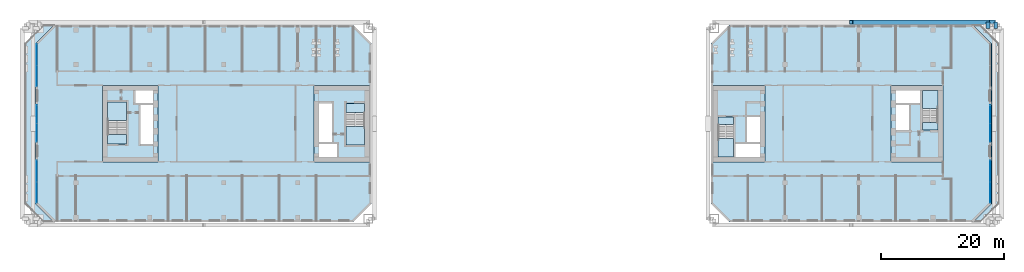
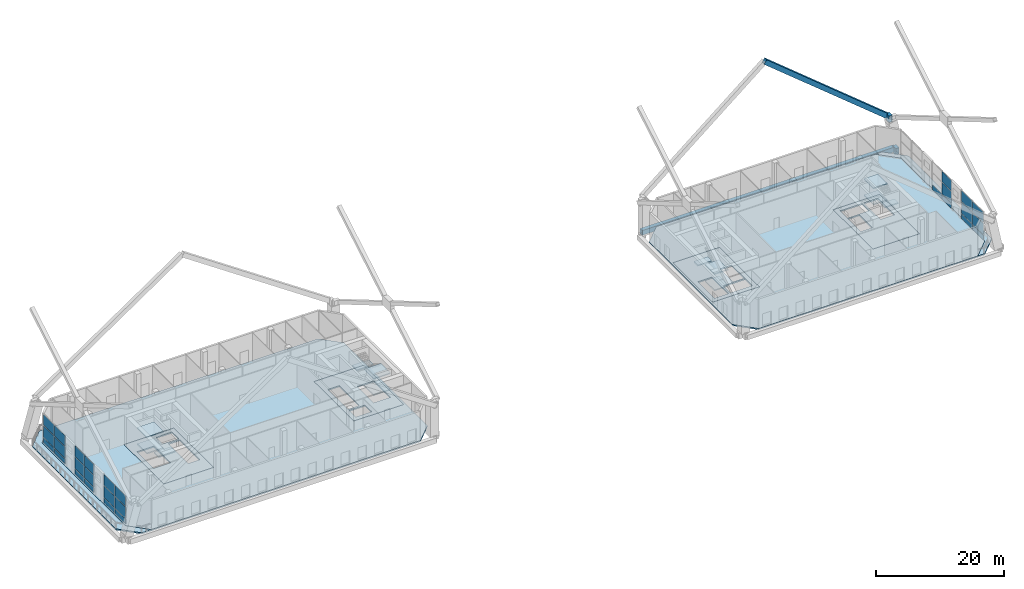
# One storey, part 7 of 20: 28 plates, 20 slabs, 3 beams, 1 member, 9 elements without a shape of their own.
"""IFC4 building model written with IfcOpenShell, lengths in metres."""

from ifc_helpers import new_model, si_unit, direction, frame, origin, origin_2d, place, context, subcontext, project, spatial, polyline, rectangle, hollow_rectangle, outline, extrude, material, layer, layer_set, material_profile, profile_set, type_object, element, aggregate, save


model = new_model("IFC4")

# Units and contexts
model_context = context("Model", 3, precision=1e-05, world=origin(), true_north=direction((0.0, 1.0)))
body_context = subcontext(model_context, "Body", "Model", "MODEL_VIEW")
ifc_project = project(units=[si_unit("LENGTHUNIT", "METRE"), si_unit("AREAUNIT", "SQUARE_METRE"), si_unit("VOLUMEUNIT", "CUBIC_METRE"), si_unit("PLANEANGLEUNIT", "RADIAN"), si_unit("MASSUNIT", "GRAM", prefix="KILO")], contexts=[model_context])

# Site, building, storey
site_placement = place(None, origin())
site = spatial("IfcSite", under=ifc_project, at=site_placement, CompositionType="ELEMENT")
building_placement = place(site_placement, origin())
building = spatial("IfcBuilding", under=site, at=building_placement, Name="Tuart Gate Housing", CompositionType="ELEMENT")
storey_placement = place(building_placement, frame((0.0, 0.0, 38.10009765625)))
storey = spatial("IfcBuildingStorey", under=building, at=storey_placement, Name="L10", CompositionType="ELEMENT", Elevation=38.10009765625)

# Beams
ifc_material_1 = material(Name="Steel Grade 350", Category="steel")
ifc_material_profile_1 = material_profile(ifc_material_1, hollow_rectangle(XDim=0.60009765625, YDim=1.199951171875, WallThickness=0.0400390625, at=origin_2d()), Name="BOX 1200x600x40")
ifc_profile_set_1 = profile_set([ifc_material_profile_1], Name="Steel Grade 350")
beam_type_1 = type_object("IfcBeamType", Name="Brace shoe BOX 1200x600x40", PredefinedType="BEAM", material=ifc_profile_set_1)
for number, where, z_axis, x_axis, name in (
    (1, (177.199951171875, 85.449951171875, -0.400146484375), (0.0, 1.0, 0.0), (-1.0, 0.0, 0.0), "Mega tie beam B node 1 north shoe 1 L10"),
    (2, (175.949951171875, 85.449951171875, 6.199951171875), (0.0, 1.0, 0.0), (-1.0, 0.0, 0.0), "Mega brace shoe B zone 2 north chevron 2"),
):
    element("IfcBeam", number, at=place(storey_placement, frame(where, z_axis=z_axis, x_axis=x_axis)), inside=storey, type_object=beam_type_1, Name=name, PredefinedType="BEAM", context=body_context, shape_type="SweptSolid", body=[
        extrude(hollow_rectangle(XDim=0.60009765625, YDim=1.199951171875, WallThickness=0.0400390625, at=origin_2d()), origin(), (0.0, 0.0, 1.0), 1.0),
    ])

# Member
ifc_material_2 = material(Name="Steel Grade 350", Category="steel")
ifc_material_profile_2 = material_profile(ifc_material_2, hollow_rectangle(XDim=0.679931640625, YDim=0.85009765625, WallThickness=0.0419921875, at=origin_2d()), Name="BOX 850x680x42")
ifc_profile_set_2 = profile_set([ifc_material_profile_2], Name="Steel Grade 350")
member_type = type_object("IfcMemberType", Name="Mega brace BOX 850x680x42", PredefinedType="BRACE", material=ifc_profile_set_2)
member_placement = place(storey_placement, frame((175.949951171875, 86.449951171875, 6.199951171875), z_axis=(-0.773336256449, 0.0, 0.633996083948), x_axis=(0.0, -1.0, 0.0)))
element("IfcMember", 3, at=member_placement, inside=storey, type_object=member_type, Name="Mega brace B zone 2 north chevron 2", PredefinedType="BRACE", context=body_context, shape_type="SweptSolid", body=[
    extrude(hollow_rectangle(XDim=0.679931640625, YDim=0.85009765625, WallThickness=0.0419921875, at=origin_2d()), origin(), (0.0, 0.0, 1.0), 28.706787109375),
])

# Beam
ifc_material_3 = material(Name="Steel Grade 350", Category="steel")
ifc_material_profile_3 = material_profile(ifc_material_3, hollow_rectangle(XDim=0.699951171875, YDim=0.89990234375, WallThickness=0.0400390625, at=origin_2d()), Name="BOX 900x700x40")
ifc_profile_set_3 = profile_set([ifc_material_profile_3], Name="Steel Grade 350")
beam_type_2 = type_object("IfcBeamType", Name="Tie beam BOX 900x700x40 (40.6-51.7 m)", PredefinedType="BEAM", material=ifc_profile_set_3)
beam_placement = place(storey_placement, frame((131.550048828125, 86.449951171875, -0.400146484375), z_axis=(1.0, 0.0, 0.0), x_axis=(0.0, 1.0, 0.0)))
element("IfcBeam", 4, at=beam_placement, inside=storey, type_object=beam_type_2, Name="Mega tie beam B node 1 north L10", PredefinedType="BEAM", context=body_context, shape_type="SweptSolid", body=[
    extrude(hollow_rectangle(XDim=0.699951171875, YDim=0.89990234375, WallThickness=0.0400390625, at=origin_2d()), origin(), (0.0, 0.0, 1.0), 45.64990234375),
])

# Slabs
ifc_material_4 = material(Name="Concrete C40", Category="concrete")
ifc_layer_1 = layer(ifc_material_4, 0.25)
ifc_layer_set_1 = layer_set([ifc_layer_1], Name="Core floor slab 250")
slab_type_1 = type_object("IfcSlabType", Name="Core floor slab 250", PredefinedType="FLOOR", material=ifc_layer_set_1)
slab_1_placement = place(storey_placement, frame((0.0, 0.0, -0.25)))
element("IfcSlab", 5, at=slab_1_placement, inside=storey, type_object=slab_type_1, Name="Core floor AG", PredefinedType="FLOOR", context=body_context, shape_type="SweptSolid", body=[
    extrude(outline(polyline([(66.639892578125, 63.800048828125), (75.639892578125, 63.800048828125), (75.639892578125, 76.199951171875), (66.639892578125, 76.199951171875), (66.639892578125, 63.800048828125)]), holes=[polyline([(67.43994140625, 64.60009765625), (70.3349609375, 64.60009765625), (70.3349609375, 66.675048828125), (67.43994140625, 66.675048828125), (67.43994140625, 64.60009765625)]), polyline([(67.43994140625, 67.02490234375), (69.514892578125, 67.02490234375), (69.514892578125, 73.27490234375), (67.43994140625, 73.27490234375), (67.43994140625, 67.02490234375)]), polyline([(71.81494140625, 66.52490234375), (74.840087890625, 66.52490234375), (74.840087890625, 71.72998046875), (71.81494140625, 71.72998046875), (71.81494140625, 66.52490234375)])]), origin(), (0.0, 0.0, 1.0), 0.25),
])
slab_2_placement = place(storey_placement, frame((0.0, 0.0, -0.25)))
element("IfcSlab", 6, at=slab_2_placement, inside=storey, type_object=slab_type_1, Name="Core floor AK", PredefinedType="FLOOR", context=body_context, shape_type="SweptSolid", body=[
    extrude(outline(polyline([(32.360107421875, 63.800048828125), (41.360107421875, 63.800048828125), (41.360107421875, 76.199951171875), (32.360107421875, 76.199951171875), (32.360107421875, 63.800048828125)]), holes=[polyline([(40.56005859375, 75.39990234375), (37.6650390625, 75.39990234375), (37.6650390625, 73.324951171875), (40.56005859375, 73.324951171875), (40.56005859375, 75.39990234375)]), polyline([(40.56005859375, 72.97509765625), (38.485107421875, 72.97509765625), (38.485107421875, 66.72509765625), (40.56005859375, 66.72509765625), (40.56005859375, 72.97509765625)]), polyline([(36.18505859375, 73.47509765625), (33.159912109375, 73.47509765625), (33.159912109375, 68.27001953125), (36.18505859375, 68.27001953125), (36.18505859375, 73.47509765625)])]), origin(), (0.0, 0.0, 1.0), 0.25),
])
slab_3_placement = place(storey_placement, frame((0.0, 0.0, -0.25)))
element("IfcSlab", 7, at=slab_3_placement, inside=storey, type_object=slab_type_1, Name="Core floor BG", PredefinedType="FLOOR", context=body_context, shape_type="SweptSolid", body=[
    extrude(outline(polyline([(131.360107421875, 63.800048828125), (139.760009765625, 63.800048828125), (139.760009765625, 76.199951171875), (131.360107421875, 76.199951171875), (131.360107421875, 63.800048828125)]), holes=[polyline([(138.9599609375, 66.85009765625), (135.034912109375, 66.85009765625), (135.034912109375, 64.60009765625), (138.9599609375, 64.60009765625), (138.9599609375, 66.85009765625)]), polyline([(138.9599609375, 71.074951171875), (136.885009765625, 71.074951171875), (136.885009765625, 67.02490234375), (138.9599609375, 67.02490234375), (138.9599609375, 71.074951171875)]), polyline([(134.68505859375, 69.780029296875), (132.159912109375, 69.780029296875), (132.159912109375, 64.60009765625), (134.68505859375, 64.60009765625), (134.68505859375, 69.780029296875)])]), origin(), (0.0, 0.0, 1.0), 0.25),
])
slab_4_placement = place(storey_placement, frame((0.0, 0.0, -0.25)))
element("IfcSlab", 8, at=slab_4_placement, inside=storey, type_object=slab_type_1, Name="Core floor BK", PredefinedType="FLOOR", context=body_context, shape_type="SweptSolid", body=[
    extrude(outline(polyline([(160.239990234375, 63.800048828125), (168.639892578125, 63.800048828125), (168.639892578125, 76.199951171875), (160.239990234375, 76.199951171875), (160.239990234375, 63.800048828125)]), holes=[polyline([(161.0400390625, 73.14990234375), (164.965087890625, 73.14990234375), (164.965087890625, 75.39990234375), (161.0400390625, 75.39990234375), (161.0400390625, 73.14990234375)]), polyline([(161.0400390625, 68.925048828125), (163.114990234375, 68.925048828125), (163.114990234375, 72.97509765625), (161.0400390625, 72.97509765625), (161.0400390625, 68.925048828125)]), polyline([(165.31494140625, 70.219970703125), (167.840087890625, 70.219970703125), (167.840087890625, 75.39990234375), (165.31494140625, 75.39990234375), (165.31494140625, 70.219970703125)])]), origin(), (0.0, 0.0, 1.0), 0.25),
])
ifc_material_5 = material(Name="Concrete C40", Category="concrete")
ifc_layer_2 = layer(ifc_material_5, 0.25)
ifc_layer_set_2 = layer_set([ifc_layer_2], Name="Flat plate 250")
slab_type_2 = type_object("IfcSlabType", Name="Flat plate 250", PredefinedType="FLOOR", material=ifc_layer_set_2)
slab_5_placement = place(storey_placement, frame((0.0, 0.0, -0.25)))
element("IfcSlab", 9, at=slab_5_placement, inside=storey, type_object=slab_type_2, Name="Floor slab A L10", PredefinedType="FLOOR", context=body_context, shape_type="SweptSolid", body=[
    extrude(outline(polyline([(24.5, 86.0), (21.5, 83.0), (21.5, 57.0), (24.5, 54.0), (73.0, 54.0), (76.0, 57.0), (76.0, 83.0), (73.0, 86.0), (24.5, 86.0)]), holes=[polyline([(66.639892578125, 76.199951171875), (75.639892578125, 76.199951171875), (75.639892578125, 63.800048828125), (66.639892578125, 63.800048828125), (66.639892578125, 76.199951171875)]), polyline([(41.360107421875, 76.199951171875), (41.360107421875, 63.800048828125), (32.360107421875, 63.800048828125), (32.360107421875, 76.199951171875), (41.360107421875, 76.199951171875)])]), origin(), (0.0, 0.0, 1.0), 0.25),
])
slab_6_placement = place(storey_placement, frame((0.0, 0.0, -0.25)))
element("IfcSlab", 10, at=slab_6_placement, inside=storey, type_object=slab_type_2, Name="Floor slab B L10", PredefinedType="FLOOR", context=body_context, shape_type="SweptSolid", body=[
    extrude(outline(polyline([(134.0, 86.0), (131.0, 83.0), (131.0, 57.0), (134.0, 54.0), (173.5, 54.0), (176.5, 57.0), (176.5, 83.0), (173.5, 86.0), (134.0, 86.0)]), holes=[polyline([(131.360107421875, 76.199951171875), (139.760009765625, 76.199951171875), (139.760009765625, 63.800048828125), (131.360107421875, 63.800048828125), (131.360107421875, 76.199951171875)]), polyline([(168.639892578125, 76.199951171875), (168.639892578125, 63.800048828125), (160.239990234375, 63.800048828125), (160.239990234375, 76.199951171875), (168.639892578125, 76.199951171875)])]), origin(), (0.0, 0.0, 1.0), 0.25),
])

# Curtain wall, plates
ifc_material_6 = material(Name="Aluminium and clear glass", Category="aluminium")
curtain_wall_type = type_object("IfcCurtainWallType", Name="Sky garden front glazing", PredefinedType="USERDEFINED", material=ifc_material_6)
curtain_wall_1_placement = place(storey_placement, origin())
curtain_wall_1 = element("IfcCurtainWall", 11, at=curtain_wall_1_placement, inside=storey, type_object=curtain_wall_type, Name="Sky garden front glazing A-W L10", ObjectType="SKY GARDEN FRONT GLAZING", PredefinedType="USERDEFINED")
ifc_material_7 = material(Name="Clear glass", Category="glass")
ifc_layer_3 = layer(ifc_material_7, 0.028076171875)
ifc_layer_set_3 = layer_set([ifc_layer_3], Name="Glazed panel 28")
plate_type = type_object("IfcPlateType", Name="Glazed panel 28", PredefinedType="CURTAIN_PANEL", material=ifc_layer_set_3)
plate_1_placement = place(storey_placement, frame((21.679931640625, 81.178955078125, 0.119873046875), z_axis=(0.0, 0.0, 1.0), x_axis=(0.0, -1.0, 0.0)))
plate_1 = element("IfcPlate", 12, at=plate_1_placement, type_object=plate_type, Name="CW4 panel 1.1", PredefinedType="CURTAIN_PANEL", context=body_context, shape_type="SweptSolid", body=[
    extrude(rectangle(XDim=3.372802734375, YDim=0.028076171875, at=origin_2d()), origin(), (0.0, 0.0, 1.0), 0.919921875),
])
plate_2_placement = place(storey_placement, frame((21.679931640625, 81.178955078125, 1.16015625), z_axis=(0.0, 0.0, 1.0), x_axis=(0.0, -1.0, 0.0)))
plate_2 = element("IfcPlate", 13, at=plate_2_placement, type_object=plate_type, Name="CW4 panel 1.2", PredefinedType="CURTAIN_PANEL", context=body_context, shape_type="SweptSolid", body=[
    extrude(rectangle(XDim=3.372802734375, YDim=0.028076171875, at=origin_2d()), origin(), (0.0, 0.0, 1.0), 2.179931640625),
])
plate_3_placement = place(storey_placement, frame((21.679931640625, 81.178955078125, 3.4599609375), z_axis=(0.0, 0.0, 1.0), x_axis=(0.0, -1.0, 0.0)))
plate_3 = element("IfcPlate", 14, at=plate_3_placement, type_object=plate_type, Name="CW4 panel 1.3", PredefinedType="CURTAIN_PANEL", context=body_context, shape_type="SweptSolid", body=[
    extrude(rectangle(XDim=3.372802734375, YDim=0.028076171875, at=origin_2d()), origin(), (0.0, 0.0, 1.0), 2.02001953125),
])
plate_4_placement = place(storey_placement, frame((21.679931640625, 77.746337890625, 0.119873046875), z_axis=(0.0, 0.0, 1.0), x_axis=(0.0, -1.0, 0.0)))
plate_4 = element("IfcPlate", 15, at=plate_4_placement, type_object=plate_type, Name="CW4 panel 2.1", PredefinedType="CURTAIN_PANEL", context=body_context, shape_type="SweptSolid", body=[
    extrude(rectangle(XDim=3.372802734375, YDim=0.028076171875, at=origin_2d()), origin(), (0.0, 0.0, 1.0), 0.919921875),
])
plate_5_placement = place(storey_placement, frame((21.679931640625, 77.746337890625, 1.16015625), z_axis=(0.0, 0.0, 1.0), x_axis=(0.0, -1.0, 0.0)))
plate_5 = element("IfcPlate", 16, at=plate_5_placement, type_object=plate_type, Name="CW4 panel 2.2", PredefinedType="CURTAIN_PANEL", context=body_context, shape_type="SweptSolid", body=[
    extrude(rectangle(XDim=3.372802734375, YDim=0.028076171875, at=origin_2d()), origin(), (0.0, 0.0, 1.0), 2.179931640625),
])
plate_6_placement = place(storey_placement, frame((21.679931640625, 77.746337890625, 3.4599609375), z_axis=(0.0, 0.0, 1.0), x_axis=(0.0, -1.0, 0.0)))
plate_6 = element("IfcPlate", 17, at=plate_6_placement, type_object=plate_type, Name="CW4 panel 2.3", PredefinedType="CURTAIN_PANEL", context=body_context, shape_type="SweptSolid", body=[
    extrude(rectangle(XDim=3.372802734375, YDim=0.028076171875, at=origin_2d()), origin(), (0.0, 0.0, 1.0), 2.02001953125),
])
aggregate(curtain_wall_1, [plate_1, plate_2, plate_3, plate_4, plate_5, plate_6])

curtain_wall_2_placement = place(storey_placement, origin())
curtain_wall_2 = element("IfcCurtainWall", 18, at=curtain_wall_2_placement, inside=storey, type_object=curtain_wall_type, Name="Sky garden front glazing A-W L10", ObjectType="SKY GARDEN FRONT GLAZING", PredefinedType="USERDEFINED")
plate_7_placement = place(storey_placement, frame((21.679931640625, 71.485107421875, 0.119873046875), z_axis=(0.0, 0.0, 1.0), x_axis=(0.0, -1.0, 0.0)))
plate_7 = element("IfcPlate", 19, at=plate_7_placement, type_object=plate_type, Name="CW4 panel 1.1", PredefinedType="CURTAIN_PANEL", context=body_context, shape_type="SweptSolid", body=[
    extrude(rectangle(XDim=2.909912109375, YDim=0.028076171875, at=origin_2d()), origin(), (0.0, 0.0, 1.0), 0.919921875),
])
plate_8_placement = place(storey_placement, frame((21.679931640625, 71.485107421875, 1.16015625), z_axis=(0.0, 0.0, 1.0), x_axis=(0.0, -1.0, 0.0)))
plate_8 = element("IfcPlate", 20, at=plate_8_placement, type_object=plate_type, Name="CW4 panel 1.2", PredefinedType="CURTAIN_PANEL", context=body_context, shape_type="SweptSolid", body=[
    extrude(rectangle(XDim=2.909912109375, YDim=0.028076171875, at=origin_2d()), origin(), (0.0, 0.0, 1.0), 2.179931640625),
])
plate_9_placement = place(storey_placement, frame((21.679931640625, 71.485107421875, 3.4599609375), z_axis=(0.0, 0.0, 1.0), x_axis=(0.0, -1.0, 0.0)))
plate_9 = element("IfcPlate", 21, at=plate_9_placement, type_object=plate_type, Name="CW4 panel 1.3", PredefinedType="CURTAIN_PANEL", context=body_context, shape_type="SweptSolid", body=[
    extrude(rectangle(XDim=2.909912109375, YDim=0.028076171875, at=origin_2d()), origin(), (0.0, 0.0, 1.0), 2.02001953125),
])
plate_10_placement = place(storey_placement, frame((21.679931640625, 68.514892578125, 0.119873046875), z_axis=(0.0, 0.0, 1.0), x_axis=(0.0, -1.0, 0.0)))
plate_10 = element("IfcPlate", 22, at=plate_10_placement, type_object=plate_type, Name="CW4 panel 2.1", PredefinedType="CURTAIN_PANEL", context=body_context, shape_type="SweptSolid", body=[
    extrude(rectangle(XDim=2.909912109375, YDim=0.028076171875, at=origin_2d()), origin(), (0.0, 0.0, 1.0), 0.919921875),
])
plate_11_placement = place(storey_placement, frame((21.679931640625, 68.514892578125, 1.16015625), z_axis=(0.0, 0.0, 1.0), x_axis=(0.0, -1.0, 0.0)))
plate_11 = element("IfcPlate", 23, at=plate_11_placement, type_object=plate_type, Name="CW4 panel 2.2", PredefinedType="CURTAIN_PANEL", context=body_context, shape_type="SweptSolid", body=[
    extrude(rectangle(XDim=2.909912109375, YDim=0.028076171875, at=origin_2d()), origin(), (0.0, 0.0, 1.0), 2.179931640625),
])
plate_12_placement = place(storey_placement, frame((21.679931640625, 68.514892578125, 3.4599609375), z_axis=(0.0, 0.0, 1.0), x_axis=(0.0, -1.0, 0.0)))
plate_12 = element("IfcPlate", 24, at=plate_12_placement, type_object=plate_type, Name="CW4 panel 2.3", PredefinedType="CURTAIN_PANEL", context=body_context, shape_type="SweptSolid", body=[
    extrude(rectangle(XDim=2.909912109375, YDim=0.028076171875, at=origin_2d()), origin(), (0.0, 0.0, 1.0), 2.02001953125),
])
aggregate(curtain_wall_2, [plate_7, plate_8, plate_9, plate_10, plate_11, plate_12])

curtain_wall_3_placement = place(storey_placement, origin())
curtain_wall_3 = element("IfcCurtainWall", 25, at=curtain_wall_3_placement, inside=storey, type_object=curtain_wall_type, Name="Sky garden front glazing A-W L10", ObjectType="SKY GARDEN FRONT GLAZING", PredefinedType="USERDEFINED")
plate_13_placement = place(storey_placement, frame((21.679931640625, 62.253662109375, 0.119873046875), z_axis=(0.0, 0.0, 1.0), x_axis=(0.0, -1.0, 0.0)))
plate_13 = element("IfcPlate", 26, at=plate_13_placement, type_object=plate_type, Name="CW4 panel 1.1", PredefinedType="CURTAIN_PANEL", context=body_context, shape_type="SweptSolid", body=[
    extrude(rectangle(XDim=3.372802734375, YDim=0.028076171875, at=origin_2d()), origin(), (0.0, 0.0, 1.0), 0.919921875),
])
plate_14_placement = place(storey_placement, frame((21.679931640625, 62.253662109375, 1.16015625), z_axis=(0.0, 0.0, 1.0), x_axis=(0.0, -1.0, 0.0)))
plate_14 = element("IfcPlate", 27, at=plate_14_placement, type_object=plate_type, Name="CW4 panel 1.2", PredefinedType="CURTAIN_PANEL", context=body_context, shape_type="SweptSolid", body=[
    extrude(rectangle(XDim=3.372802734375, YDim=0.028076171875, at=origin_2d()), origin(), (0.0, 0.0, 1.0), 2.179931640625),
])
plate_15_placement = place(storey_placement, frame((21.679931640625, 62.253662109375, 3.4599609375), z_axis=(0.0, 0.0, 1.0), x_axis=(0.0, -1.0, 0.0)))
plate_15 = element("IfcPlate", 28, at=plate_15_placement, type_object=plate_type, Name="CW4 panel 1.3", PredefinedType="CURTAIN_PANEL", context=body_context, shape_type="SweptSolid", body=[
    extrude(rectangle(XDim=3.372802734375, YDim=0.028076171875, at=origin_2d()), origin(), (0.0, 0.0, 1.0), 2.02001953125),
])
plate_16_placement = place(storey_placement, frame((21.679931640625, 58.82080078125, 0.119873046875), z_axis=(0.0, 0.0, 1.0), x_axis=(0.0, -1.0, 0.0)))
plate_16 = element("IfcPlate", 29, at=plate_16_placement, type_object=plate_type, Name="CW4 panel 2.1", PredefinedType="CURTAIN_PANEL", context=body_context, shape_type="SweptSolid", body=[
    extrude(rectangle(XDim=3.372802734375, YDim=0.028076171875, at=origin_2d()), origin(), (0.0, 0.0, 1.0), 0.919921875),
])
plate_17_placement = place(storey_placement, frame((21.679931640625, 58.82080078125, 1.16015625), z_axis=(0.0, 0.0, 1.0), x_axis=(0.0, -1.0, 0.0)))
plate_17 = element("IfcPlate", 30, at=plate_17_placement, type_object=plate_type, Name="CW4 panel 2.2", PredefinedType="CURTAIN_PANEL", context=body_context, shape_type="SweptSolid", body=[
    extrude(rectangle(XDim=3.372802734375, YDim=0.028076171875, at=origin_2d()), origin(), (0.0, 0.0, 1.0), 2.179931640625),
])
plate_18_placement = place(storey_placement, frame((21.679931640625, 58.82080078125, 3.4599609375), z_axis=(0.0, 0.0, 1.0), x_axis=(0.0, -1.0, 0.0)))
plate_18 = element("IfcPlate", 31, at=plate_18_placement, type_object=plate_type, Name="CW4 panel 2.3", PredefinedType="CURTAIN_PANEL", context=body_context, shape_type="SweptSolid", body=[
    extrude(rectangle(XDim=3.372802734375, YDim=0.028076171875, at=origin_2d()), origin(), (0.0, 0.0, 1.0), 2.02001953125),
])
aggregate(curtain_wall_3, [plate_13, plate_14, plate_15, plate_16, plate_17, plate_18])

curtain_wall_4_placement = place(storey_placement, origin())
curtain_wall_4 = element("IfcCurtainWall", 32, at=curtain_wall_4_placement, inside=storey, type_object=curtain_wall_type, Name="Sky garden front glazing B-E L10", ObjectType="SKY GARDEN FRONT GLAZING", PredefinedType="USERDEFINED")
plate_19_placement = place(storey_placement, frame((176.320068359375, 58.821044921875, 0.119873046875), z_axis=(0.0, 0.0, 1.0), x_axis=(0.0, 1.0, 0.0)))
plate_19 = element("IfcPlate", 33, at=plate_19_placement, type_object=plate_type, Name="CW4 panel 1.1", PredefinedType="CURTAIN_PANEL", context=body_context, shape_type="SweptSolid", body=[
    extrude(rectangle(XDim=3.372802734375, YDim=0.028076171875, at=origin_2d()), origin(), (0.0, 0.0, 1.0), 0.919921875),
])
plate_20_placement = place(storey_placement, frame((176.320068359375, 58.821044921875, 1.16015625), z_axis=(0.0, 0.0, 1.0), x_axis=(0.0, 1.0, 0.0)))
plate_20 = element("IfcPlate", 34, at=plate_20_placement, type_object=plate_type, Name="CW4 panel 1.2", PredefinedType="CURTAIN_PANEL", context=body_context, shape_type="SweptSolid", body=[
    extrude(rectangle(XDim=3.372802734375, YDim=0.028076171875, at=origin_2d()), origin(), (0.0, 0.0, 1.0), 2.179931640625),
])
plate_21_placement = place(storey_placement, frame((176.320068359375, 58.821044921875, 3.4599609375), z_axis=(0.0, 0.0, 1.0), x_axis=(0.0, 1.0, 0.0)))
plate_21 = element("IfcPlate", 35, at=plate_21_placement, type_object=plate_type, Name="CW4 panel 1.3", PredefinedType="CURTAIN_PANEL", context=body_context, shape_type="SweptSolid", body=[
    extrude(rectangle(XDim=3.372802734375, YDim=0.028076171875, at=origin_2d()), origin(), (0.0, 0.0, 1.0), 2.02001953125),
])
plate_22_placement = place(storey_placement, frame((176.320068359375, 62.253662109375, 0.119873046875), z_axis=(0.0, 0.0, 1.0), x_axis=(0.0, 1.0, 0.0)))
plate_22 = element("IfcPlate", 36, at=plate_22_placement, type_object=plate_type, Name="CW4 panel 2.1", PredefinedType="CURTAIN_PANEL", context=body_context, shape_type="SweptSolid", body=[
    extrude(rectangle(XDim=3.372802734375, YDim=0.028076171875, at=origin_2d()), origin(), (0.0, 0.0, 1.0), 0.919921875),
])
plate_23_placement = place(storey_placement, frame((176.320068359375, 62.253662109375, 1.16015625), z_axis=(0.0, 0.0, 1.0), x_axis=(0.0, 1.0, 0.0)))
plate_23 = element("IfcPlate", 37, at=plate_23_placement, type_object=plate_type, Name="CW4 panel 2.2", PredefinedType="CURTAIN_PANEL", context=body_context, shape_type="SweptSolid", body=[
    extrude(rectangle(XDim=3.372802734375, YDim=0.028076171875, at=origin_2d()), origin(), (0.0, 0.0, 1.0), 2.179931640625),
])
plate_24_placement = place(storey_placement, frame((176.320068359375, 62.253662109375, 3.4599609375), z_axis=(0.0, 0.0, 1.0), x_axis=(0.0, 1.0, 0.0)))
plate_24 = element("IfcPlate", 38, at=plate_24_placement, type_object=plate_type, Name="CW4 panel 2.3", PredefinedType="CURTAIN_PANEL", context=body_context, shape_type="SweptSolid", body=[
    extrude(rectangle(XDim=3.372802734375, YDim=0.028076171875, at=origin_2d()), origin(), (0.0, 0.0, 1.0), 2.02001953125),
])
aggregate(curtain_wall_4, [plate_19, plate_20, plate_21, plate_22, plate_23, plate_24])

curtain_wall_5_placement = place(storey_placement, origin())
curtain_wall_5 = element("IfcCurtainWall", 39, at=curtain_wall_5_placement, inside=storey, type_object=curtain_wall_type, Name="Sky garden front glazing B-E L10", ObjectType="SKY GARDEN FRONT GLAZING", PredefinedType="USERDEFINED")
plate_25_placement = place(storey_placement, frame((176.320068359375, 68.514892578125, 0.119873046875), z_axis=(0.0, 0.0, 1.0), x_axis=(0.0, 1.0, 0.0)))
plate_25 = element("IfcPlate", 40, at=plate_25_placement, type_object=plate_type, Name="CW4 panel 1.1", PredefinedType="CURTAIN_PANEL", context=body_context, shape_type="SweptSolid", body=[
    extrude(rectangle(XDim=2.909912109375, YDim=0.028076171875, at=origin_2d()), origin(), (0.0, 0.0, 1.0), 0.919921875),
])
plate_26_placement = place(storey_placement, frame((176.320068359375, 68.514892578125, 1.16015625), z_axis=(0.0, 0.0, 1.0), x_axis=(0.0, 1.0, 0.0)))
plate_26 = element("IfcPlate", 41, at=plate_26_placement, type_object=plate_type, Name="CW4 panel 1.2", PredefinedType="CURTAIN_PANEL", context=body_context, shape_type="SweptSolid", body=[
    extrude(rectangle(XDim=2.909912109375, YDim=0.028076171875, at=origin_2d()), origin(), (0.0, 0.0, 1.0), 2.179931640625),
])
plate_27_placement = place(storey_placement, frame((176.320068359375, 68.514892578125, 3.4599609375), z_axis=(0.0, 0.0, 1.0), x_axis=(0.0, 1.0, 0.0)))
plate_27 = element("IfcPlate", 42, at=plate_27_placement, type_object=plate_type, Name="CW4 panel 1.3", PredefinedType="CURTAIN_PANEL", context=body_context, shape_type="SweptSolid", body=[
    extrude(rectangle(XDim=2.909912109375, YDim=0.028076171875, at=origin_2d()), origin(), (0.0, 0.0, 1.0), 2.02001953125),
])
plate_28_placement = place(storey_placement, frame((176.320068359375, 71.485107421875, 0.119873046875), z_axis=(0.0, 0.0, 1.0), x_axis=(0.0, 1.0, 0.0)))
plate_28 = element("IfcPlate", 43, at=plate_28_placement, type_object=plate_type, Name="CW4 panel 2.1", PredefinedType="CURTAIN_PANEL", context=body_context, shape_type="SweptSolid", body=[
    extrude(rectangle(XDim=2.909912109375, YDim=0.028076171875, at=origin_2d()), origin(), (0.0, 0.0, 1.0), 0.919921875),
])
aggregate(curtain_wall_5, [plate_25, plate_26, plate_27, plate_28])

# Slabs
ifc_material_8 = material(Name="Concrete C40", Category="concrete")
ifc_layer_4 = layer(ifc_material_8, 0.25)
ifc_layer_set_4 = layer_set([ifc_layer_4], Name="Roof slab 250")
slab_type_3 = type_object("IfcSlabType", Name="Roof slab 250", PredefinedType="ROOF", material=ifc_layer_set_4)
slab_7_placement = place(storey_placement, frame((0.0, 0.0, -0.25)))
element("IfcSlab", 44, at=slab_7_placement, inside=storey, type_object=slab_type_3, Name="Setback roof slab A L10", PredefinedType="ROOF", context=body_context, shape_type="SweptSolid", body=[
    extrude(outline(polyline([(22.75, 54.0), (24.5, 54.0), (21.5, 57.0), (21.5, 83.0), (24.5, 86.0), (22.75, 86.0), (19.75, 83.0), (19.75, 57.0), (22.75, 54.0)])), origin(), (0.0, 0.0, 1.0), 0.25),
])
slab_8_placement = place(storey_placement, frame((0.0, 0.0, -0.25)))
element("IfcSlab", 45, at=slab_8_placement, inside=storey, type_object=slab_type_3, Name="Setback roof slab B L10", PredefinedType="ROOF", context=body_context, shape_type="SweptSolid", body=[
    extrude(outline(polyline([(174.75, 86.0), (173.5, 86.0), (176.5, 83.0), (176.5, 57.0), (173.5, 54.0), (174.75, 54.0), (177.75, 57.0), (177.75, 83.0), (174.75, 86.0)])), origin(), (0.0, 0.0, 1.0), 0.25),
])

# Stair, slabs
ifc_material_9 = material(Name="Concrete C40", Category="concrete")
stair_type_1 = type_object("IfcStairType", Name="Core stair 1500", PredefinedType="HALF_TURN_STAIR", material=ifc_material_9)
stair_1_placement = place(storey_placement, origin())
stair_1 = element("IfcStair", 46, at=stair_1_placement, inside=storey, type_object=stair_type_1, Name="Stair SA1", PredefinedType="HALF_TURN_STAIR")
ifc_material_10 = material(Name="Concrete C40", Category="concrete")
ifc_layer_5 = layer(ifc_material_10, 0.199951171875)
ifc_layer_set_5 = layer_set([ifc_layer_5], Name="Stair landing 200")
slab_type_4 = type_object("IfcSlabType", Name="Stair landing 200", PredefinedType="LANDING", material=ifc_layer_set_5)
slab_9_placement = place(storey_placement, frame((0.0, 0.0, 1.349853515625)))
slab_9 = element("IfcSlab", 47, at=slab_9_placement, type_object=slab_type_4, Name="SA1 landing 1", PredefinedType="LANDING", context=body_context, shape_type="SweptSolid", body=[
    extrude(outline(polyline([(71.81494140625, 66.52490234375), (74.840087890625, 66.52490234375), (74.840087890625, 69.534912109375), (71.81494140625, 69.534912109375), (71.81494140625, 66.52490234375)])), origin(), (0.0, 0.0, 1.0), 0.199951171875),
])
slab_10_placement = place(storey_placement, frame((0.0, 0.0, 2.89990234375)))
slab_10 = element("IfcSlab", 48, at=slab_10_placement, type_object=slab_type_4, Name="SA1 landing 2", PredefinedType="LANDING", context=body_context, shape_type="SweptSolid", body=[
    extrude(outline(polyline([(71.81494140625, 73.27490234375), (71.81494140625, 71.77490234375), (74.840087890625, 71.77490234375), (74.840087890625, 73.27490234375), (71.81494140625, 73.27490234375)])), origin(), (0.0, 0.0, 1.0), 0.199951171875),
])
slab_11_placement = place(storey_placement, frame((0.0, 0.0, 4.449951171875)))
slab_11 = element("IfcSlab", 49, at=slab_11_placement, type_object=slab_type_4, Name="SA1 landing 3", PredefinedType="LANDING", context=body_context, shape_type="SweptSolid", body=[
    extrude(outline(polyline([(71.81494140625, 66.52490234375), (74.840087890625, 66.52490234375), (74.840087890625, 69.534912109375), (71.81494140625, 69.534912109375), (71.81494140625, 66.52490234375)])), origin(), (0.0, 0.0, 1.0), 0.199951171875),
])
aggregate(stair_1, [slab_9, slab_10, slab_11])

stair_2_placement = place(storey_placement, origin())
stair_2 = element("IfcStair", 50, at=stair_2_placement, inside=storey, type_object=stair_type_1, Name="Stair SA2", PredefinedType="HALF_TURN_STAIR")
slab_12_placement = place(storey_placement, frame((0.0, 0.0, 1.349853515625)))
slab_12 = element("IfcSlab", 51, at=slab_12_placement, type_object=slab_type_4, Name="SA2 landing 1", PredefinedType="LANDING", context=body_context, shape_type="SweptSolid", body=[
    extrude(outline(polyline([(36.18505859375, 73.47509765625), (33.159912109375, 73.47509765625), (33.159912109375, 70.465087890625), (36.18505859375, 70.465087890625), (36.18505859375, 73.47509765625)])), origin(), (0.0, 0.0, 1.0), 0.199951171875),
])
slab_13_placement = place(storey_placement, frame((0.0, 0.0, 2.89990234375)))
slab_13 = element("IfcSlab", 52, at=slab_13_placement, type_object=slab_type_4, Name="SA2 landing 2", PredefinedType="LANDING", context=body_context, shape_type="SweptSolid", body=[
    extrude(outline(polyline([(36.18505859375, 66.72509765625), (36.18505859375, 68.22509765625), (33.159912109375, 68.22509765625), (33.159912109375, 66.72509765625), (36.18505859375, 66.72509765625)])), origin(), (0.0, 0.0, 1.0), 0.199951171875),
])
slab_14_placement = place(storey_placement, frame((0.0, 0.0, 4.449951171875)))
slab_14 = element("IfcSlab", 53, at=slab_14_placement, type_object=slab_type_4, Name="SA2 landing 3", PredefinedType="LANDING", context=body_context, shape_type="SweptSolid", body=[
    extrude(outline(polyline([(36.18505859375, 73.47509765625), (33.159912109375, 73.47509765625), (33.159912109375, 70.465087890625), (36.18505859375, 70.465087890625), (36.18505859375, 73.47509765625)])), origin(), (0.0, 0.0, 1.0), 0.199951171875),
])
aggregate(stair_2, [slab_12, slab_13, slab_14])

ifc_material_11 = material(Name="Concrete C40", Category="concrete")
stair_type_2 = type_object("IfcStairType", Name="Core stair 1250", PredefinedType="HALF_TURN_STAIR", material=ifc_material_11)
stair_3_placement = place(storey_placement, origin())
stair_3 = element("IfcStair", 54, at=stair_3_placement, inside=storey, type_object=stair_type_2, Name="Stair SB1", PredefinedType="HALF_TURN_STAIR")
slab_15_placement = place(storey_placement, frame((0.0, 0.0, 1.349853515625)))
slab_15 = element("IfcSlab", 55, at=slab_15_placement, type_object=slab_type_4, Name="SB1 landing 1", PredefinedType="LANDING", context=body_context, shape_type="SweptSolid", body=[
    extrude(outline(polyline([(134.68505859375, 67.5849609375), (132.159912109375, 67.5849609375), (132.159912109375, 64.60009765625), (134.68505859375, 64.60009765625), (134.68505859375, 67.5849609375)])), origin(), (0.0, 0.0, 1.0), 0.199951171875),
])
slab_16_placement = place(storey_placement, frame((0.0, 0.0, 2.89990234375)))
slab_16 = element("IfcSlab", 56, at=slab_16_placement, type_object=slab_type_4, Name="SB1 landing 2", PredefinedType="LANDING", context=body_context, shape_type="SweptSolid", body=[
    extrude(outline(polyline([(132.159912109375, 71.074951171875), (132.159912109375, 69.824951171875), (134.68505859375, 69.824951171875), (134.68505859375, 71.074951171875), (132.159912109375, 71.074951171875)])), origin(), (0.0, 0.0, 1.0), 0.199951171875),
])
slab_17_placement = place(storey_placement, frame((0.0, 0.0, 4.449951171875)))
slab_17 = element("IfcSlab", 57, at=slab_17_placement, type_object=slab_type_4, Name="SB1 landing 3", PredefinedType="LANDING", context=body_context, shape_type="SweptSolid", body=[
    extrude(outline(polyline([(134.68505859375, 67.5849609375), (132.159912109375, 67.5849609375), (132.159912109375, 64.60009765625), (134.68505859375, 64.60009765625), (134.68505859375, 67.5849609375)])), origin(), (0.0, 0.0, 1.0), 0.199951171875),
])
aggregate(stair_3, [slab_15, slab_16, slab_17])

stair_4_placement = place(storey_placement, origin())
stair_4 = element("IfcStair", 58, at=stair_4_placement, inside=storey, type_object=stair_type_2, Name="Stair SB2", PredefinedType="HALF_TURN_STAIR")
slab_18_placement = place(storey_placement, frame((0.0, 0.0, 1.349853515625)))
slab_18 = element("IfcSlab", 59, at=slab_18_placement, type_object=slab_type_4, Name="SB2 landing 1", PredefinedType="LANDING", context=body_context, shape_type="SweptSolid", body=[
    extrude(outline(polyline([(165.31494140625, 72.4150390625), (167.840087890625, 72.4150390625), (167.840087890625, 75.39990234375), (165.31494140625, 75.39990234375), (165.31494140625, 72.4150390625)])), origin(), (0.0, 0.0, 1.0), 0.199951171875),
])
slab_19_placement = place(storey_placement, frame((0.0, 0.0, 2.89990234375)))
slab_19 = element("IfcSlab", 60, at=slab_19_placement, type_object=slab_type_4, Name="SB2 landing 2", PredefinedType="LANDING", context=body_context, shape_type="SweptSolid", body=[
    extrude(outline(polyline([(167.840087890625, 68.925048828125), (167.840087890625, 70.175048828125), (165.31494140625, 70.175048828125), (165.31494140625, 68.925048828125), (167.840087890625, 68.925048828125)])), origin(), (0.0, 0.0, 1.0), 0.199951171875),
])
slab_20_placement = place(storey_placement, frame((0.0, 0.0, 4.449951171875)))
slab_20 = element("IfcSlab", 61, at=slab_20_placement, type_object=slab_type_4, Name="SB2 landing 3", PredefinedType="LANDING", context=body_context, shape_type="SweptSolid", body=[
    extrude(outline(polyline([(165.31494140625, 72.4150390625), (167.840087890625, 72.4150390625), (167.840087890625, 75.39990234375), (165.31494140625, 75.39990234375), (165.31494140625, 72.4150390625)])), origin(), (0.0, 0.0, 1.0), 0.199951171875),
])
aggregate(stair_4, [slab_18, slab_19, slab_20])

save(model, "model.ifc")
